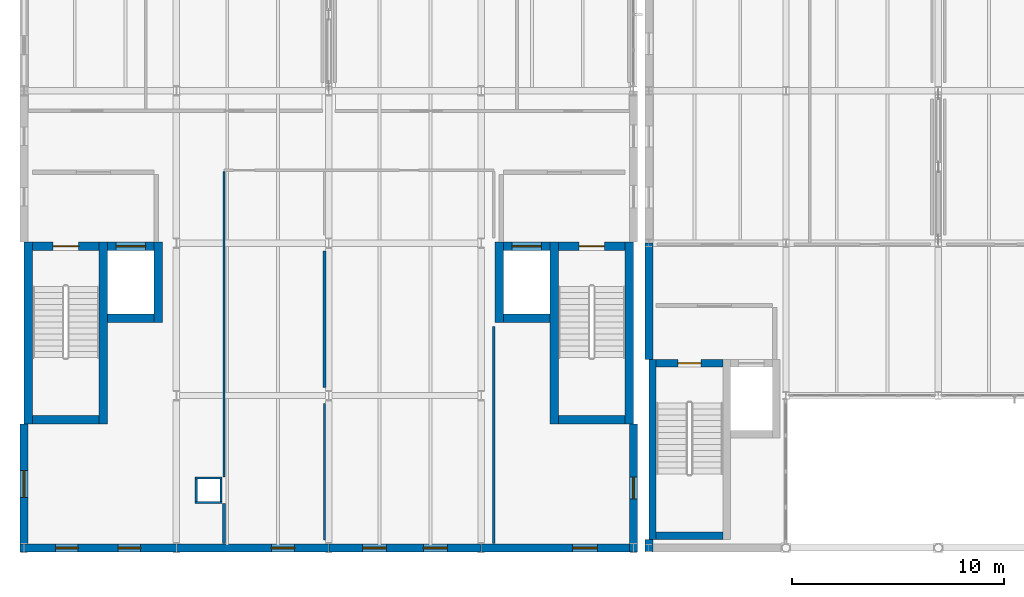
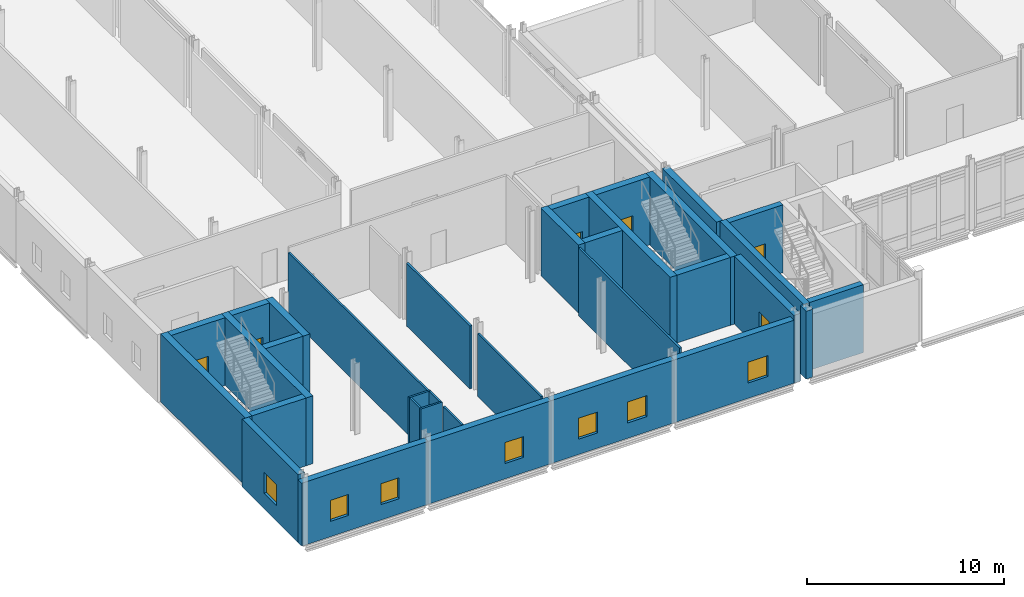
# One storey, part 51 of 72: 34 walls, 8 windows, 5 doors, 13 openings.
"""IFC4 building model written with IfcOpenShell, lengths in metres."""

from ifc_helpers import new_model, si_unit, direction, frame, frame_2d, origin, place, context, subcontext, project, spatial, rectangle, extrude, material, layer, layer_set, type_object, element, fill, save


model = new_model("IFC4")

# Units and contexts
model_context = context("Model", 3, precision=1e-05, world=origin(), true_north=direction((0.0, 1.0)))
body_context = subcontext(model_context, "Body", "Model", "MODEL_VIEW")
ifc_project = project(units=[si_unit("LENGTHUNIT", "METRE"), si_unit("AREAUNIT", "SQUARE_METRE"), si_unit("VOLUMEUNIT", "CUBIC_METRE"), si_unit("PLANEANGLEUNIT", "RADIAN"), si_unit("MASSUNIT", "GRAM", prefix="KILO")], contexts=[model_context])

# Site, building, storey
site_placement = place(None, origin())
site = spatial("IfcSite", under=ifc_project, at=site_placement, CompositionType="ELEMENT")
building_placement = place(site_placement, origin())
building = spatial("IfcBuilding", under=site, at=building_placement, Name="Zarrinpeak Specialist Clinic", CompositionType="ELEMENT")
storey_placement = place(building_placement, frame((0.0, 0.0, 9.60009765625)))
storey = spatial("IfcBuildingStorey", under=building, at=storey_placement, Name="L02", CompositionType="ELEMENT", Elevation=9.60009765625)

# Wall
ifc_material_1 = material(Name="Concrete C40/50", Category="concrete")
ifc_layer_1 = layer(ifc_material_1, 0.35009765625)
ifc_layer_set_1 = layer_set([ifc_layer_1], Name="Concrete C40/50")
wall_type_1 = type_object("IfcWallType", Name="WL-CR350", PredefinedType="SHEAR", material=ifc_layer_set_1)
wall_1_placement = place(storey_placement, frame((29.8701171875, 0.574951171875, 0.0), z_axis=(0.0, 0.0, 1.0), x_axis=(1.0, 0.0, 0.0)))
element("IfcWall", 1, at=wall_1_placement, inside=storey, type_object=wall_type_1, Name="L02 Core C03 Shear Wall STS", PredefinedType="SHEAR", context=body_context, shape_type="SweptSolid", body=[
    extrude(rectangle(XDim=3.14990234375, YDim=0.35009765625, at=frame_2d((1.574951171875, 0.0))), origin(), (0.0, 0.0, 1.0), 4.199951171875),
])

# Wall, opening, door
wall_2_placement = place(storey_placement, frame((29.8701171875, 8.72509765625, 0.0), z_axis=(0.0, 0.0, 1.0), x_axis=(1.0, 0.0, 0.0)))
wall_2 = element("IfcWall", 2, at=wall_2_placement, inside=storey, type_object=wall_type_1, Name="L02 Core C03 Shear Wall STN", PredefinedType="SHEAR", context=body_context, shape_type="SweptSolid", body=[
    extrude(rectangle(XDim=3.14990234375, YDim=0.35009765625, at=frame_2d((1.574951171875, 0.0))), origin(), (0.0, 0.0, 1.0), 4.199951171875),
])
opening_1_placement = place(wall_2_placement, frame((1.02490234375, 0.0, 0.0)))
opening_1 = element("IfcOpeningElement", 3, at=opening_1_placement, cuts=wall_2, Name="Opening D-S02", PredefinedType="OPENING", context=body_context, shape_type="SweptSolid", body=[
    extrude(rectangle(XDim=1.10009765625, YDim=2.14990234375, at=frame_2d((0.550048828125, 1.074951171875))), frame((0.0, 0.18505859375, 0.0), z_axis=(0.0, -1.0, 0.0), x_axis=(1.0, 0.0, 0.0)), (0.0, 0.0, 1.0), 0.3701171875),
])
ifc_material_2 = material(Name="Powder-Coated Galvanised Steel", Category="steel")
door_type_1 = type_object("IfcDoorType", Name="DR-FD110", OperationType="SINGLE_SWING_RIGHT", PredefinedType="DOOR", material=ifc_material_2)
door_1_placement = place(opening_1_placement, frame((1.10009765625, 0.0, 0.0), z_axis=(0.0, 0.0, 1.0), x_axis=(-1.0, 0.0, 0.0)))
door_1 = element("IfcDoor", 4, at=door_1_placement, inside=storey, type_object=door_type_1, Name="L02 Protected Stair ST-03 Fire Door", OperationType="SINGLE_SWING_RIGHT", OverallHeight=2.14990234375, OverallWidth=1.10009765625, PredefinedType="DOOR", context=body_context, shape_type="SweptSolid", body=[
    extrude(rectangle(XDim=1.10009765625, YDim=2.14990234375, at=frame_2d((0.550048828125, 1.074951171875))), frame((0.0, 0.02490234375, 0.0), z_axis=(0.0, -1.0, 0.0), x_axis=(1.0, 0.0, 0.0)), (0.0, 0.0, 1.0), 0.050048828125),
])
fill(opening_1, door_1)

# Walls
wall_3_placement = place(storey_placement, frame((29.695068359375, 0.39990234375, 0.0), z_axis=(0.0, 0.0, 1.0), x_axis=(0.0, 1.0, 0.0)))
element("IfcWall", 5, at=wall_3_placement, inside=storey, type_object=wall_type_1, Name="L02 Core C03 Shear Wall STW", PredefinedType="SHEAR", context=body_context, shape_type="SweptSolid", body=[
    extrude(rectangle(XDim=8.5, YDim=0.35009765625, at=frame_2d((4.25, 0.0))), origin(), (0.0, 0.0, 1.0), 4.199951171875),
])
ifc_layer_2 = layer(ifc_material_1, 0.39990234375)
ifc_layer_set_2 = layer_set([ifc_layer_2], Name="Concrete C40/50")
wall_type_2 = type_object("IfcWallType", Name="WL-CR400", PredefinedType="SHEAR", material=ifc_layer_set_2)
wall_4_placement = place(storey_placement, frame((0.39990234375, 6.050048828125, 0.0), z_axis=(0.0, 0.0, 1.0), x_axis=(1.0, 0.0, 0.0)))
element("IfcWall", 6, at=wall_4_placement, inside=storey, type_object=wall_type_2, Name="L02 Core C01 Shear Wall STS", PredefinedType="SHEAR", context=body_context, shape_type="SweptSolid", body=[
    extrude(rectangle(XDim=3.150146484375, YDim=0.39990234375, at=frame_2d((1.5751953125, 0.0))), origin(), (0.0, 0.0, 1.0), 4.199951171875),
])

# Wall, opening, door
wall_5_placement = place(storey_placement, frame((0.39990234375, 14.25, 0.0), z_axis=(0.0, 0.0, 1.0), x_axis=(1.0, 0.0, 0.0)))
wall_5 = element("IfcWall", 7, at=wall_5_placement, inside=storey, type_object=wall_type_2, Name="L02 Core C01 Shear Wall STN", PredefinedType="SHEAR", context=body_context, shape_type="SweptSolid", body=[
    extrude(rectangle(XDim=3.150146484375, YDim=0.39990234375, at=frame_2d((1.5751953125, 0.0))), origin(), (0.0, 0.0, 1.0), 4.199951171875),
])
opening_2_placement = place(wall_5_placement, frame((0.97509765625, 0.0, 0.0)))
opening_2 = element("IfcOpeningElement", 8, at=opening_2_placement, cuts=wall_5, Name="Opening D-S01", PredefinedType="OPENING", context=body_context, shape_type="SweptSolid", body=[
    extrude(rectangle(XDim=1.199951171875, YDim=2.14990234375, at=frame_2d((0.60009765625, 1.074951171875))), frame((0.0, 0.2099609375, 0.0), z_axis=(0.0, -1.0, 0.0), x_axis=(1.0, 0.0, 0.0)), (0.0, 0.0, 1.0), 0.419921875),
])
door_type_2 = type_object("IfcDoorType", Name="DR-FD120", OperationType="SINGLE_SWING_LEFT", PredefinedType="DOOR", material=ifc_material_2)
door_2_placement = place(opening_2_placement, frame((1.199951171875, 0.0, 0.0), z_axis=(0.0, 0.0, 1.0), x_axis=(-1.0, 0.0, 0.0)))
door_2 = element("IfcDoor", 9, at=door_2_placement, inside=storey, type_object=door_type_2, Name="L02 Protected Stair ST-01 Fire Door", OperationType="SINGLE_SWING_LEFT", OverallHeight=2.14990234375, OverallWidth=1.199951171875, PredefinedType="DOOR", context=body_context, shape_type="SweptSolid", body=[
    extrude(rectangle(XDim=1.199951171875, YDim=2.14990234375, at=frame_2d((0.60009765625, 1.074951171875))), frame((0.0, 0.02490234375, 0.0), z_axis=(0.0, -1.0, 0.0), x_axis=(1.0, 0.0, 0.0)), (0.0, 0.0, 1.0), 0.050048828125),
])
fill(opening_2, door_2)

# Walls
for number, where, z_axis, x_axis, name in (
    (10, (0.199951171875, 5.85009765625, 0.0), (0.0, 0.0, 1.0), (0.0, 1.0, 0.0), "L02 Core C01 Shear Wall STW"),
    (11, (3.75, 5.85009765625, 0.0), (0.0, 0.0, 1.0), (0.0, 1.0, 0.0), "L02 Core C01 Shear Wall STE"),
):
    element("IfcWall", number, at=place(storey_placement, frame(where, z_axis=z_axis, x_axis=x_axis)), inside=storey, type_object=wall_type_2, Name=name, PredefinedType="SHEAR", context=body_context, shape_type="SweptSolid", body=[
        extrude(rectangle(XDim=8.599853515625, YDim=0.39990234375, at=frame_2d((4.2998046875, 0.0))), origin(), (0.0, 0.0, 1.0), 4.199951171875),
    ])
wall_6_placement = place(storey_placement, frame((3.949951171875, 10.85009765625, 0.0), z_axis=(0.0, 0.0, 1.0), x_axis=(1.0, 0.0, 0.0)))
element("IfcWall", 12, at=wall_6_placement, inside=storey, type_object=wall_type_2, Name="L02 Lift LF-FF1 Shaft Wall LFS", PredefinedType="SHEAR", context=body_context, shape_type="SweptSolid", body=[
    extrude(rectangle(XDim=2.199951171875, YDim=0.39990234375, at=frame_2d((1.10009765625, 0.0))), origin(), (0.0, 0.0, 1.0), 4.199951171875),
])

# Wall, opening, door
wall_7_placement = place(storey_placement, frame((3.949951171875, 14.25, 0.0), z_axis=(0.0, 0.0, 1.0), x_axis=(1.0, 0.0, 0.0)))
wall_7 = element("IfcWall", 13, at=wall_7_placement, inside=storey, type_object=wall_type_2, Name="L02 Lift LF-FF1 Shaft Wall LFN", PredefinedType="SHEAR", context=body_context, shape_type="SweptSolid", body=[
    extrude(rectangle(XDim=2.199951171875, YDim=0.39990234375, at=frame_2d((1.10009765625, 0.0))), origin(), (0.0, 0.0, 1.0), 4.199951171875),
])
opening_3_placement = place(wall_7_placement, frame((0.39990234375, 0.0, 0.0)))
opening_3 = element("IfcOpeningElement", 14, at=opening_3_placement, cuts=wall_7, Name="Opening LD-01", PredefinedType="OPENING", context=body_context, shape_type="SweptSolid", body=[
    extrude(rectangle(XDim=1.39990234375, YDim=2.199951171875, at=frame_2d((0.699951171875, 1.10009765625))), frame((0.0, 0.2099609375, 0.0), z_axis=(0.0, -1.0, 0.0), x_axis=(1.0, 0.0, 0.0)), (0.0, 0.0, 1.0), 0.419921875),
])
door_type_3 = type_object("IfcDoorType", Name="DR-LD140", OperationType="SLIDING_TO_LEFT", PredefinedType="DOOR", material=ifc_material_2)
door_3_placement = place(opening_3_placement, origin())
door_3 = element("IfcDoor", 15, at=door_3_placement, inside=storey, type_object=door_type_3, Name="L02 Lift LF-FF1 Sliding Landing Door", OperationType="SLIDING_TO_LEFT", OverallHeight=2.199951171875, OverallWidth=1.39990234375, PredefinedType="DOOR", context=body_context, shape_type="SweptSolid", body=[
    extrude(rectangle(XDim=1.39990234375, YDim=2.199951171875, at=frame_2d((0.699951171875, 1.10009765625))), frame((0.0, 0.02490234375, 0.0), z_axis=(0.0, -1.0, 0.0), x_axis=(1.0, 0.0, 0.0)), (0.0, 0.0, 1.0), 0.050048828125),
])
fill(opening_3, door_3)

# Walls
wall_8_placement = place(storey_placement, frame((6.35009765625, 10.64990234375, 0.0), z_axis=(0.0, 0.0, 1.0), x_axis=(0.0, 1.0, 0.0)))
element("IfcWall", 16, at=wall_8_placement, inside=storey, type_object=wall_type_2, Name="L02 Lift LF-FF1 Shaft Wall LFE", PredefinedType="SHEAR", context=body_context, shape_type="SweptSolid", body=[
    extrude(rectangle(XDim=3.800048828125, YDim=0.39990234375, at=frame_2d((1.89990234375, 0.0))), origin(), (0.0, 0.0, 1.0), 4.199951171875),
])
wall_9_placement = place(storey_placement, frame((25.25, 6.050048828125, 0.0), z_axis=(0.0, 0.0, 1.0), x_axis=(1.0, 0.0, 0.0)))
element("IfcWall", 17, at=wall_9_placement, inside=storey, type_object=wall_type_2, Name="L02 Core C02 Shear Wall STS", PredefinedType="SHEAR", context=body_context, shape_type="SweptSolid", body=[
    extrude(rectangle(XDim=3.14990234375, YDim=0.39990234375, at=frame_2d((1.574951171875, 0.0))), origin(), (0.0, 0.0, 1.0), 4.199951171875),
])

# Wall, opening, door
wall_10_placement = place(storey_placement, frame((25.25, 14.25, 0.0), z_axis=(0.0, 0.0, 1.0), x_axis=(1.0, 0.0, 0.0)))
wall_10 = element("IfcWall", 18, at=wall_10_placement, inside=storey, type_object=wall_type_2, Name="L02 Core C02 Shear Wall STN", PredefinedType="SHEAR", context=body_context, shape_type="SweptSolid", body=[
    extrude(rectangle(XDim=3.14990234375, YDim=0.39990234375, at=frame_2d((1.574951171875, 0.0))), origin(), (0.0, 0.0, 1.0), 4.199951171875),
])
opening_4_placement = place(wall_10_placement, frame((0.97509765625, 0.0, 0.0)))
opening_4 = element("IfcOpeningElement", 19, at=opening_4_placement, cuts=wall_10, Name="Opening D-S01", PredefinedType="OPENING", context=body_context, shape_type="SweptSolid", body=[
    extrude(rectangle(XDim=1.199951171875, YDim=2.14990234375, at=frame_2d((0.60009765625, 1.074951171875))), frame((0.0, 0.2099609375, 0.0), z_axis=(0.0, -1.0, 0.0), x_axis=(1.0, 0.0, 0.0)), (0.0, 0.0, 1.0), 0.419921875),
])
door_4_placement = place(opening_4_placement, frame((1.199951171875, 0.0, 0.0), z_axis=(0.0, 0.0, 1.0), x_axis=(-1.0, 0.0, 0.0)))
door_4 = element("IfcDoor", 20, at=door_4_placement, inside=storey, type_object=door_type_2, Name="L02 Protected Stair ST-02 Fire Door", OperationType="SINGLE_SWING_LEFT", OverallHeight=2.14990234375, OverallWidth=1.199951171875, PredefinedType="DOOR", context=body_context, shape_type="SweptSolid", body=[
    extrude(rectangle(XDim=1.199951171875, YDim=2.14990234375, at=frame_2d((0.60009765625, 1.074951171875))), frame((0.0, 0.02490234375, 0.0), z_axis=(0.0, -1.0, 0.0), x_axis=(1.0, 0.0, 0.0)), (0.0, 0.0, 1.0), 0.050048828125),
])
fill(opening_4, door_4)

# Walls
for number, where, z_axis, x_axis, name in (
    (21, (25.050048828125, 5.85009765625, 0.0), (0.0, 0.0, 1.0), (0.0, 1.0, 0.0), "L02 Core C02 Shear Wall STW"),
    (22, (28.60009765625, 5.85009765625, 0.0), (0.0, 0.0, 1.0), (0.0, 1.0, 0.0), "L02 Core C02 Shear Wall STE"),
):
    element("IfcWall", number, at=place(storey_placement, frame(where, z_axis=z_axis, x_axis=x_axis)), inside=storey, type_object=wall_type_2, Name=name, PredefinedType="SHEAR", context=body_context, shape_type="SweptSolid", body=[
        extrude(rectangle(XDim=8.599853515625, YDim=0.39990234375, at=frame_2d((4.2998046875, 0.0))), origin(), (0.0, 0.0, 1.0), 4.199951171875),
    ])
wall_11_placement = place(storey_placement, frame((22.64990234375, 10.85009765625, 0.0), z_axis=(0.0, 0.0, 1.0), x_axis=(1.0, 0.0, 0.0)))
element("IfcWall", 23, at=wall_11_placement, inside=storey, type_object=wall_type_2, Name="L02 Lift LF-FF2 Shaft Wall LFS", PredefinedType="SHEAR", context=body_context, shape_type="SweptSolid", body=[
    extrude(rectangle(XDim=2.2001953125, YDim=0.39990234375, at=frame_2d((1.10009765625, 0.0))), origin(), (0.0, 0.0, 1.0), 4.199951171875),
])

# Wall, opening, door
wall_12_placement = place(storey_placement, frame((22.64990234375, 14.25, 0.0), z_axis=(0.0, 0.0, 1.0), x_axis=(1.0, 0.0, 0.0)))
wall_12 = element("IfcWall", 24, at=wall_12_placement, inside=storey, type_object=wall_type_2, Name="L02 Lift LF-FF2 Shaft Wall LFN", PredefinedType="SHEAR", context=body_context, shape_type="SweptSolid", body=[
    extrude(rectangle(XDim=2.2001953125, YDim=0.39990234375, at=frame_2d((1.10009765625, 0.0))), origin(), (0.0, 0.0, 1.0), 4.199951171875),
])
opening_5_placement = place(wall_12_placement, frame((0.39990234375, 0.0, 0.0)))
opening_5 = element("IfcOpeningElement", 25, at=opening_5_placement, cuts=wall_12, Name="Opening LD-01", PredefinedType="OPENING", context=body_context, shape_type="SweptSolid", body=[
    extrude(rectangle(XDim=1.39990234375, YDim=2.199951171875, at=frame_2d((0.699951171875, 1.10009765625))), frame((0.0, 0.2099609375, 0.0), z_axis=(0.0, -1.0, 0.0), x_axis=(1.0, 0.0, 0.0)), (0.0, 0.0, 1.0), 0.419921875),
])
door_5_placement = place(opening_5_placement, origin())
door_5 = element("IfcDoor", 26, at=door_5_placement, inside=storey, type_object=door_type_3, Name="L02 Lift LF-FF2 Sliding Landing Door", OperationType="SLIDING_TO_LEFT", OverallHeight=2.199951171875, OverallWidth=1.39990234375, PredefinedType="DOOR", context=body_context, shape_type="SweptSolid", body=[
    extrude(rectangle(XDim=1.39990234375, YDim=2.199951171875, at=frame_2d((0.699951171875, 1.10009765625))), frame((0.0, 0.02490234375, 0.0), z_axis=(0.0, -1.0, 0.0), x_axis=(1.0, 0.0, 0.0)), (0.0, 0.0, 1.0), 0.050048828125),
])
fill(opening_5, door_5)

# Wall
wall_13_placement = place(storey_placement, frame((22.449951171875, 10.64990234375, 0.0), z_axis=(0.0, 0.0, 1.0), x_axis=(0.0, 1.0, 0.0)))
element("IfcWall", 27, at=wall_13_placement, inside=storey, type_object=wall_type_2, Name="L02 Lift LF-FF2 Shaft Wall LFW", PredefinedType="SHEAR", context=body_context, shape_type="SweptSolid", body=[
    extrude(rectangle(XDim=3.800048828125, YDim=0.39990234375, at=frame_2d((1.89990234375, 0.0))), origin(), (0.0, 0.0, 1.0), 4.199951171875),
])

# Wall, openings, windows
ifc_material_3 = material(Name="Precast concrete C40/50", Category="concrete")
ifc_layer_3 = layer(ifc_material_3, 0.3798828125)
ifc_layer_set_3 = layer_set([ifc_layer_3], Name="Precast concrete C40/50")
wall_type_3 = type_object("IfcWallType", Name="WL-EW380", PredefinedType="STANDARD", material=ifc_layer_set_3)
wall_14_placement = place(storey_placement, frame((-0.18994140625, 0.0, 0.0), z_axis=(0.0, 0.0, 1.0), x_axis=(1.0, 0.0, 0.0)))
wall_14 = element("IfcWall", 28, at=wall_14_placement, inside=storey, type_object=wall_type_3, Name="L02 V1 Exterior GRC Wall EW-L02-V1-0029", PredefinedType="STANDARD", context=body_context, shape_type="SweptSolid", body=[
    extrude(rectangle(XDim=7.389892578125, YDim=0.3798828125, at=frame_2d((3.69482421875, 0.0))), origin(), (0.0, 0.0, 1.0), 3.89501953125),
])
opening_6_placement = place(wall_14_placement, frame((1.68505859375, 0.0, 0.949951171875)))
opening_6 = element("IfcOpeningElement", 29, at=opening_6_placement, cuts=wall_14, Name="Opening WS-20", PredefinedType="OPENING", context=body_context, shape_type="SweptSolid", body=[
    extrude(rectangle(XDim=1.06396484375, YDim=1.2958984375, at=frame_2d((0.531982421875, 0.64794921875))), frame((0.0, 0.199951171875, 0.0), z_axis=(0.0, -1.0, 0.0), x_axis=(1.0, 0.0, 0.0)), (0.0, 0.0, 1.0), 0.39990234375),
])
opening_7_placement = place(wall_14_placement, frame((4.64111328125, 0.0, 0.949951171875)))
opening_7 = element("IfcOpeningElement", 30, at=opening_7_placement, cuts=wall_14, Name="Opening WS-20", PredefinedType="OPENING", context=body_context, shape_type="SweptSolid", body=[
    extrude(rectangle(XDim=1.06396484375, YDim=1.2958984375, at=frame_2d((0.531982421875, 0.64794921875))), frame((0.0, 0.199951171875, 0.0), z_axis=(0.0, -1.0, 0.0), x_axis=(1.0, 0.0, 0.0)), (0.0, 0.0, 1.0), 0.39990234375),
])
ifc_material_4 = material(Name="Thermally Broken Aluminium and Low-E Glazing", Category="aluminium")
window_type_1 = type_object("IfcWindowType", Name="WN-SP20", PartitioningType="SINGLE_PANEL", PredefinedType="WINDOW", material=ifc_material_4)
window_1_placement = place(opening_6_placement, origin())
window_1 = element("IfcWindow", 31, at=window_1_placement, inside=storey, type_object=window_type_1, Name="L02 Modular Facade Window WN-L02-0043", OverallHeight=1.2958984375, OverallWidth=1.06396484375, PartitioningType="SINGLE_PANEL", PredefinedType="WINDOW", context=body_context, shape_type="SweptSolid", body=[
    extrude(rectangle(XDim=1.06396484375, YDim=1.2958984375, at=frame_2d((0.531982421875, 0.64794921875))), frame((0.0, 0.030029296875, 0.0), z_axis=(0.0, -1.0, 0.0), x_axis=(1.0, 0.0, 0.0)), (0.0, 0.0, 1.0), 0.06005859375),
])
fill(opening_6, window_1)
window_2_placement = place(opening_7_placement, origin())
window_2 = element("IfcWindow", 32, at=window_2_placement, inside=storey, type_object=window_type_1, Name="L02 Modular Facade Window WN-L02-0044", OverallHeight=1.2958984375, OverallWidth=1.06396484375, PartitioningType="SINGLE_PANEL", PredefinedType="WINDOW", context=body_context, shape_type="SweptSolid", body=[
    extrude(rectangle(XDim=1.06396484375, YDim=1.2958984375, at=frame_2d((0.531982421875, 0.64794921875))), frame((0.0, 0.030029296875, 0.0), z_axis=(0.0, -1.0, 0.0), x_axis=(1.0, 0.0, 0.0)), (0.0, 0.0, 1.0), 0.06005859375),
])
fill(opening_7, window_2)

# Wall, opening, window
wall_15_placement = place(storey_placement, frame((7.199951171875, 0.0, 0.0), z_axis=(0.0, 0.0, 1.0), x_axis=(1.0, 0.0, 0.0)))
wall_15 = element("IfcWall", 33, at=wall_15_placement, inside=storey, type_object=wall_type_3, Name="L02 V1 Exterior GRC Wall EW-L02-V1-0030", PredefinedType="STANDARD", context=body_context, shape_type="SweptSolid", body=[
    extrude(rectangle(XDim=7.199951171875, YDim=0.3798828125, at=frame_2d((3.60009765625, 0.0))), origin(), (0.0, 0.0, 1.0), 3.89501953125),
])
opening_8_placement = place(wall_15_placement, frame((4.490966796875, 0.0, 0.949951171875)))
opening_8 = element("IfcOpeningElement", 34, at=opening_8_placement, cuts=wall_15, Name="Opening WS-21", PredefinedType="OPENING", context=body_context, shape_type="SweptSolid", body=[
    extrude(rectangle(XDim=1.097900390625, YDim=1.2958984375, at=frame_2d((0.548828125, 0.64794921875))), frame((0.0, 0.199951171875, 0.0), z_axis=(0.0, -1.0, 0.0), x_axis=(1.0, 0.0, 0.0)), (0.0, 0.0, 1.0), 0.39990234375),
])
window_type_2 = type_object("IfcWindowType", Name="WN-SP21", PartitioningType="SINGLE_PANEL", PredefinedType="WINDOW", material=ifc_material_4)
window_3_placement = place(opening_8_placement, origin())
window_3 = element("IfcWindow", 35, at=window_3_placement, inside=storey, type_object=window_type_2, Name="L02 Modular Facade Window WN-L02-0045", OverallHeight=1.2958984375, OverallWidth=1.097900390625, PartitioningType="SINGLE_PANEL", PredefinedType="WINDOW", context=body_context, shape_type="SweptSolid", body=[
    extrude(rectangle(XDim=1.097900390625, YDim=1.2958984375, at=frame_2d((0.548828125, 0.64794921875))), frame((0.0, 0.030029296875, 0.0), z_axis=(0.0, -1.0, 0.0), x_axis=(1.0, 0.0, 0.0)), (0.0, 0.0, 1.0), 0.06005859375),
])
fill(opening_8, window_3)

# Wall, openings, windows
wall_16_placement = place(storey_placement, frame((14.39990234375, 0.0, 0.0), z_axis=(0.0, 0.0, 1.0), x_axis=(1.0, 0.0, 0.0)))
wall_16 = element("IfcWall", 36, at=wall_16_placement, inside=storey, type_object=wall_type_3, Name="L02 V1 Exterior GRC Wall EW-L02-V1-0031", PredefinedType="STANDARD", context=body_context, shape_type="SweptSolid", body=[
    extrude(rectangle(XDim=7.2001953125, YDim=0.3798828125, at=frame_2d((3.60009765625, 0.0))), origin(), (0.0, 0.0, 1.0), 3.89501953125),
])
opening_9_placement = place(wall_16_placement, frame((1.593994140625, 0.0, 0.949951171875)))
opening_9 = element("IfcOpeningElement", 37, at=opening_9_placement, cuts=wall_16, Name="Opening WS-22", PredefinedType="OPENING", context=body_context, shape_type="SweptSolid", body=[
    extrude(rectangle(XDim=1.132080078125, YDim=1.2958984375, at=frame_2d((0.56591796875, 0.64794921875))), frame((0.0, 0.199951171875, 0.0), z_axis=(0.0, -1.0, 0.0), x_axis=(1.0, 0.0, 0.0)), (0.0, 0.0, 1.0), 0.39990234375),
])
opening_10_placement = place(wall_16_placement, frame((4.47412109375, 0.0, 0.949951171875)))
opening_10 = element("IfcOpeningElement", 38, at=opening_10_placement, cuts=wall_16, Name="Opening WS-22", PredefinedType="OPENING", context=body_context, shape_type="SweptSolid", body=[
    extrude(rectangle(XDim=1.132080078125, YDim=1.2958984375, at=frame_2d((0.56591796875, 0.64794921875))), frame((0.0, 0.199951171875, 0.0), z_axis=(0.0, -1.0, 0.0), x_axis=(1.0, 0.0, 0.0)), (0.0, 0.0, 1.0), 0.39990234375),
])
window_type_3 = type_object("IfcWindowType", Name="WN-SP22", PartitioningType="SINGLE_PANEL", PredefinedType="WINDOW", material=ifc_material_4)
window_4_placement = place(opening_9_placement, origin())
window_4 = element("IfcWindow", 39, at=window_4_placement, inside=storey, type_object=window_type_3, Name="L02 Modular Facade Window WN-L02-0046", OverallHeight=1.2958984375, OverallWidth=1.132080078125, PartitioningType="SINGLE_PANEL", PredefinedType="WINDOW", context=body_context, shape_type="SweptSolid", body=[
    extrude(rectangle(XDim=1.132080078125, YDim=1.2958984375, at=frame_2d((0.56591796875, 0.64794921875))), frame((0.0, 0.030029296875, 0.0), z_axis=(0.0, -1.0, 0.0), x_axis=(1.0, 0.0, 0.0)), (0.0, 0.0, 1.0), 0.06005859375),
])
fill(opening_9, window_4)
window_5_placement = place(opening_10_placement, origin())
window_5 = element("IfcWindow", 40, at=window_5_placement, inside=storey, type_object=window_type_3, Name="L02 Modular Facade Window WN-L02-0047", OverallHeight=1.2958984375, OverallWidth=1.132080078125, PartitioningType="SINGLE_PANEL", PredefinedType="WINDOW", context=body_context, shape_type="SweptSolid", body=[
    extrude(rectangle(XDim=1.132080078125, YDim=1.2958984375, at=frame_2d((0.56591796875, 0.64794921875))), frame((0.0, 0.030029296875, 0.0), z_axis=(0.0, -1.0, 0.0), x_axis=(1.0, 0.0, 0.0)), (0.0, 0.0, 1.0), 0.06005859375),
])
fill(opening_10, window_5)

# Wall, opening, window
wall_17_placement = place(storey_placement, frame((21.60009765625, 0.0, 0.0), z_axis=(0.0, 0.0, 1.0), x_axis=(1.0, 0.0, 0.0)))
wall_17 = element("IfcWall", 41, at=wall_17_placement, inside=storey, type_object=wall_type_3, Name="L02 V1 Exterior GRC Wall EW-L02-V1-0032", PredefinedType="STANDARD", context=body_context, shape_type="SweptSolid", body=[
    extrude(rectangle(XDim=7.010009765625, YDim=0.3798828125, at=frame_2d((3.5048828125, 0.0))), origin(), (0.0, 0.0, 1.0), 3.89501953125),
])
opening_11_placement = place(wall_17_placement, frame((4.323974609375, 0.0, 0.949951171875)))
opening_11 = element("IfcOpeningElement", 42, at=opening_11_placement, cuts=wall_17, Name="Opening WS-23", PredefinedType="OPENING", context=body_context, shape_type="SweptSolid", body=[
    extrude(rectangle(XDim=1.166015625, YDim=1.2958984375, at=frame_2d((0.5830078125, 0.64794921875))), frame((0.0, 0.199951171875, 0.0), z_axis=(0.0, -1.0, 0.0), x_axis=(1.0, 0.0, 0.0)), (0.0, 0.0, 1.0), 0.39990234375),
])
window_type_4 = type_object("IfcWindowType", Name="WN-SP23", PartitioningType="SINGLE_PANEL", PredefinedType="WINDOW", material=ifc_material_4)
window_6_placement = place(opening_11_placement, origin())
window_6 = element("IfcWindow", 43, at=window_6_placement, inside=storey, type_object=window_type_4, Name="L02 Modular Facade Window WN-L02-0048", OverallHeight=1.2958984375, OverallWidth=1.166015625, PartitioningType="SINGLE_PANEL", PredefinedType="WINDOW", context=body_context, shape_type="SweptSolid", body=[
    extrude(rectangle(XDim=1.166015625, YDim=1.2958984375, at=frame_2d((0.5830078125, 0.64794921875))), frame((0.0, 0.030029296875, 0.0), z_axis=(0.0, -1.0, 0.0), x_axis=(1.0, 0.0, 0.0)), (0.0, 0.0, 1.0), 0.06005859375),
])
fill(opening_11, window_6)

wall_18_placement = place(storey_placement, frame((0.0, 5.85009765625, 0.0), z_axis=(0.0, 0.0, 1.0), x_axis=(0.0, -1.0, 0.0)))
wall_18 = element("IfcWall", 44, at=wall_18_placement, inside=storey, type_object=wall_type_3, Name="L02 V1 Exterior GRC Wall EW-L02-V1-0035", PredefinedType="STANDARD", context=body_context, shape_type="SweptSolid", body=[
    extrude(rectangle(XDim=5.66015625, YDim=0.3798828125, at=frame_2d((2.830078125, 0.0))), origin(), (0.0, 0.0, 1.0), 4.199951171875),
])
opening_12_placement = place(wall_18_placement, frame((2.196044921875, 0.0, 0.949951171875)))
opening_12 = element("IfcOpeningElement", 45, at=opening_12_placement, cuts=wall_18, Name="Opening WS-26", PredefinedType="OPENING", context=body_context, shape_type="SweptSolid", body=[
    extrude(rectangle(XDim=1.26806640625, YDim=1.2958984375, at=frame_2d((0.634033203125, 0.64794921875))), frame((0.0, 0.199951171875, 0.0), z_axis=(0.0, -1.0, 0.0), x_axis=(1.0, 0.0, 0.0)), (0.0, 0.0, 1.0), 0.39990234375),
])
window_type_5 = type_object("IfcWindowType", Name="WN-SP26", PartitioningType="SINGLE_PANEL", PredefinedType="WINDOW", material=ifc_material_4)
window_7_placement = place(opening_12_placement, origin())
window_7 = element("IfcWindow", 46, at=window_7_placement, inside=storey, type_object=window_type_5, Name="L02 Modular Facade Window WN-L02-0051", OverallHeight=1.2958984375, OverallWidth=1.26806640625, PartitioningType="SINGLE_PANEL", PredefinedType="WINDOW", context=body_context, shape_type="SweptSolid", body=[
    extrude(rectangle(XDim=1.26806640625, YDim=1.2958984375, at=frame_2d((0.634033203125, 0.64794921875))), frame((0.0, 0.030029296875, 0.0), z_axis=(0.0, -1.0, 0.0), x_axis=(1.0, 0.0, 0.0)), (0.0, 0.0, 1.0), 0.06005859375),
])
fill(opening_12, window_7)

wall_19_placement = place(storey_placement, frame((28.800048828125, -0.18994140625, 0.0), z_axis=(0.0, 0.0, 1.0), x_axis=(0.0, 1.0, 0.0)))
wall_19 = element("IfcWall", 47, at=wall_19_placement, inside=storey, type_object=wall_type_3, Name="L02 V1 Exterior GRC Wall EW-L02-V1-0041", PredefinedType="STANDARD", context=body_context, shape_type="SweptSolid", body=[
    extrude(rectangle(XDim=6.0400390625, YDim=0.3798828125, at=frame_2d((3.02001953125, 0.0))), origin(), (0.0, 0.0, 1.0), 4.199951171875),
])
opening_13_placement = place(wall_19_placement, frame((2.5048828125, 0.0, 0.949951171875)))
opening_13 = element("IfcOpeningElement", 48, at=opening_13_placement, cuts=wall_19, Name="Opening WS-32", PredefinedType="OPENING", context=body_context, shape_type="SweptSolid", body=[
    extrude(rectangle(XDim=1.030029296875, YDim=1.33203125, at=frame_2d((0.51513671875, 0.666015625))), frame((0.0, 0.199951171875, 0.0), z_axis=(0.0, -1.0, 0.0), x_axis=(1.0, 0.0, 0.0)), (0.0, 0.0, 1.0), 0.39990234375),
])
window_type_6 = type_object("IfcWindowType", Name="WN-SP32", PartitioningType="SINGLE_PANEL", PredefinedType="WINDOW", material=ifc_material_4)
window_8_placement = place(opening_13_placement, origin())
window_8 = element("IfcWindow", 49, at=window_8_placement, inside=storey, type_object=window_type_6, Name="L02 Modular Facade Window WN-L02-0062", OverallHeight=1.33203125, OverallWidth=1.030029296875, PartitioningType="SINGLE_PANEL", PredefinedType="WINDOW", context=body_context, shape_type="SweptSolid", body=[
    extrude(rectangle(XDim=1.030029296875, YDim=1.33203125, at=frame_2d((0.51513671875, 0.666015625))), frame((0.0, 0.030029296875, 0.0), z_axis=(0.0, -1.0, 0.0), x_axis=(1.0, 0.0, 0.0)), (0.0, 0.0, 1.0), 0.06005859375),
])
fill(opening_13, window_8)

# Walls
wall_20_placement = place(storey_placement, frame((29.52001953125, 0.39990234375, 0.0), z_axis=(0.0, 0.0, 1.0), x_axis=(0.0, -1.0, 0.0)))
element("IfcWall", 50, at=wall_20_placement, inside=storey, type_object=wall_type_3, Name="L02 V2 Exterior GRC Wall EW-L02-V2-0125", PredefinedType="STANDARD", context=body_context, shape_type="SweptSolid", body=[
    extrude(rectangle(XDim=0.58984375, YDim=0.3798828125, at=frame_2d((0.294921875, 0.0))), origin(), (0.0, 0.0, 1.0), 4.199951171875),
])
wall_21_placement = place(storey_placement, frame((29.52001953125, 14.39990234375, 0.0), z_axis=(0.0, 0.0, 1.0), x_axis=(0.0, -1.0, 0.0)))
element("IfcWall", 51, at=wall_21_placement, inside=storey, type_object=wall_type_3, Name="L02 V2 Exterior GRC Wall EW-L02-V2-0126", PredefinedType="STANDARD", context=body_context, shape_type="SweptSolid", body=[
    extrude(rectangle(XDim=5.5, YDim=0.3798828125, at=frame_2d((2.75, 0.0))), origin(), (0.0, 0.0, 1.0), 4.199951171875),
])
ifc_material_5 = material(Name="Sanitary Service Chase Plumbing Wall", Category="gypsum")
ifc_layer_4 = layer(ifc_material_5, 0.110107421875)
ifc_layer_set_4 = layer_set([ifc_layer_4], Name="Sanitary Service Chase Plumbing Wall")
wall_type_4 = type_object("IfcWallType", Name="WL-IW110", PredefinedType="PARTITIONING", material=ifc_layer_set_4)
for number, where, z_axis, x_axis, name in (
    (52, (8.090087890625, 2.14501953125, 0.0), (0.0, 0.0, 1.0), (1.0, 0.0, 0.0), "L02 V1 Enclosed MEP Service Riser Wall S"),
    (53, (8.090087890625, 3.304931640625, 0.0), (0.0, 0.0, 1.0), (1.0, 0.0, 0.0), "L02 V1 Enclosed MEP Service Riser Wall N"),
):
    element("IfcWall", number, at=place(storey_placement, frame(where, z_axis=z_axis, x_axis=x_axis)), inside=storey, type_object=wall_type_4, Name=name, PredefinedType="PARTITIONING", context=body_context, shape_type="SweptSolid", body=[
        extrude(rectangle(XDim=1.27001953125, YDim=0.110107421875, at=frame_2d((0.635009765625, 0.0))), origin(), (0.0, 0.0, 1.0), 4.199951171875),
    ])
for number, where, z_axis, x_axis, name in (
    (54, (8.14501953125, 2.199951171875, 0.0), (0.0, 0.0, 1.0), (0.0, 1.0, 0.0), "L02 V1 Enclosed MEP Service Riser Wall W"),
    (55, (9.304931640625, 2.199951171875, 0.0), (0.0, 0.0, 1.0), (0.0, 1.0, 0.0), "L02 V1 Enclosed MEP Service Riser Wall E"),
):
    element("IfcWall", number, at=place(storey_placement, frame(where, z_axis=z_axis, x_axis=x_axis)), inside=storey, type_object=wall_type_4, Name=name, PredefinedType="PARTITIONING", context=body_context, shape_type="SweptSolid", body=[
        extrude(rectangle(XDim=1.050048828125, YDim=0.110107421875, at=frame_2d((0.52490234375, 0.0))), origin(), (0.0, 0.0, 1.0), 4.199951171875),
    ])
wall_22_placement = place(storey_placement, frame((9.449951171875, 3.360107421875, 0.0), z_axis=(0.0, 0.0, 1.0), x_axis=(0.0, 1.0, 0.0)))
element("IfcWall", 56, at=wall_22_placement, inside=storey, type_object=wall_type_4, Name="L02 Accessible Patient WC Dividing Partition", PredefinedType="PARTITIONING", context=body_context, shape_type="SweptSolid", body=[
    extrude(rectangle(XDim=14.427490234375, YDim=0.110107421875, at=frame_2d((7.2138671875, 0.0))), origin(), (0.0, 0.0, 1.0), 3.914794921875),
])
wall_23_placement = place(storey_placement, frame((14.199951171875, 0.3798828125, 0.0), z_axis=(0.0, 0.0, 1.0), x_axis=(0.0, 1.0, 0.0)))
element("IfcWall", 57, at=wall_23_placement, inside=storey, type_object=wall_type_4, Name="L02 Accessible Patient WC Dividing Partition", PredefinedType="PARTITIONING", context=body_context, shape_type="SweptSolid", body=[
    extrude(rectangle(XDim=6.440185546875, YDim=0.110107421875, at=frame_2d((3.22021484375, 0.0))), origin(), (0.0, 0.0, 1.0), 3.89501953125),
])
ifc_material_6 = material(Name="Moisture-Resistant Wet-Room Partition", Category="gypsum")
ifc_layer_5 = layer(ifc_material_6, 0.125)
ifc_layer_set_5 = layer_set([ifc_layer_5], Name="Moisture-Resistant Wet-Room Partition")
wall_type_5 = type_object("IfcWallType", Name="WL-IW125W", PredefinedType="PARTITIONING", material=ifc_layer_set_5)
wall_24_placement = place(storey_placement, frame((9.449951171875, 0.199951171875, 0.0), z_axis=(0.0, 0.0, 1.0), x_axis=(0.0, 1.0, 0.0)))
element("IfcWall", 58, at=wall_24_placement, inside=storey, type_object=wall_type_5, Name="L02 Accessible Patient WC Dividing Partition", PredefinedType="PARTITIONING", context=body_context, shape_type="SweptSolid", body=[
    extrude(rectangle(XDim=1.89013671875, YDim=0.125, at=frame_2d((0.945068359375, 0.0))), origin(), (0.0, 0.0, 1.0), 3.914794921875),
])
wall_25_placement = place(storey_placement, frame((14.199951171875, 7.580078125, 0.0), z_axis=(0.0, 0.0, 1.0), x_axis=(0.0, 1.0, 0.0)))
element("IfcWall", 59, at=wall_25_placement, inside=storey, type_object=wall_type_5, Name="L02 Accessible Patient WC Dividing Partition", PredefinedType="PARTITIONING", context=body_context, shape_type="SweptSolid", body=[
    extrude(rectangle(XDim=6.43994140625, YDim=0.125, at=frame_2d((3.219970703125, 0.0))), origin(), (0.0, 0.0, 1.0), 3.89501953125),
])
wall_26_placement = place(storey_placement, frame((22.199951171875, 0.199951171875, 0.0), z_axis=(0.0, 0.0, 1.0), x_axis=(0.0, 1.0, 0.0)))
element("IfcWall", 60, at=wall_26_placement, inside=storey, type_object=wall_type_5, Name="L02 Staff Sanitary WC Dividing Partition", PredefinedType="PARTITIONING", context=body_context, shape_type="SweptSolid", body=[
    extrude(rectangle(XDim=10.25, YDim=0.125, at=frame_2d((5.125, 0.0))), origin(), (0.0, 0.0, 1.0), 4.199951171875),
])

save(model, "model.ifc")
